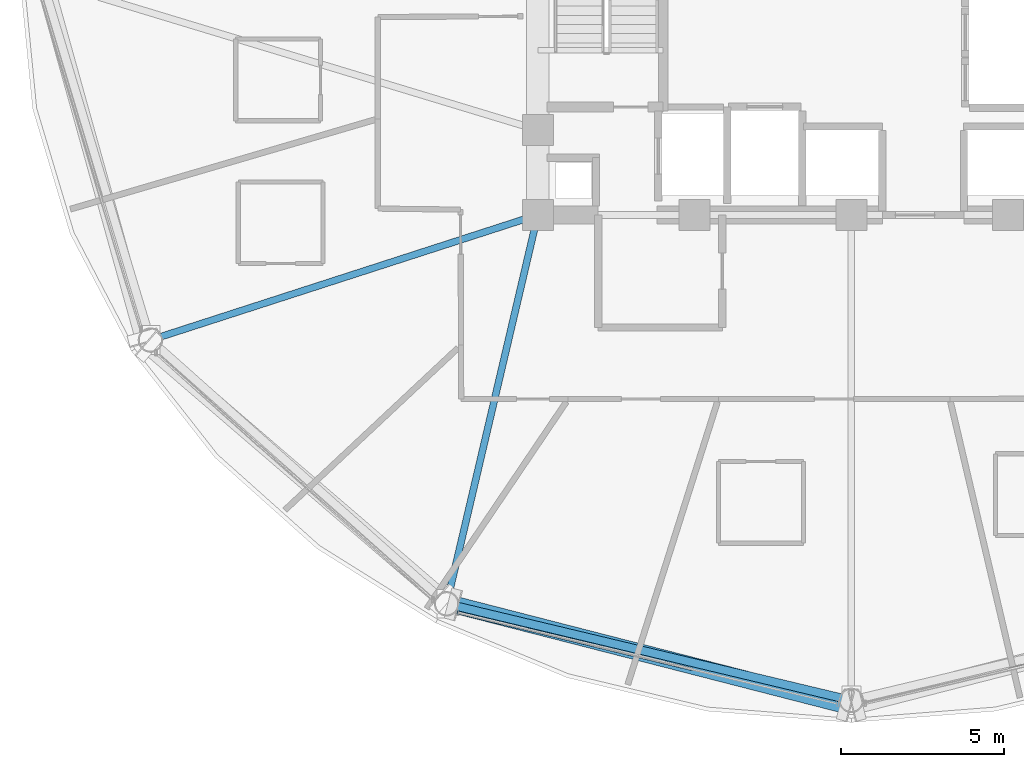
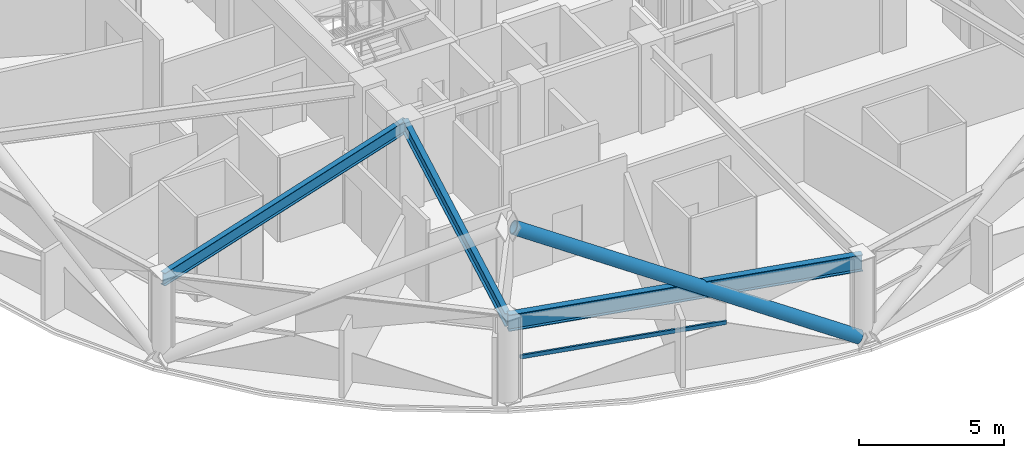
# One storey, part 3 of 29: 3 beams, 2 members, 1 element without a shape of its own.
"""IFC4 building model written with IfcOpenShell, lengths in metres."""

from ifc_helpers import new_model, si_unit, direction, frame, origin, origin_2d, place, context, subcontext, project, spatial, hollow_rectangle, hollow_circle, i_section, extrude, material, layer, layer_set, material_profile, profile_set, type_object, element, aggregate, save


model = new_model("IFC4")

# Units and contexts
model_context = context("Model", 3, precision=1e-05, world=origin(), true_north=direction((0.0, 1.0)))
body_context = subcontext(model_context, "Body", "Model", "MODEL_VIEW")
ifc_project = project(units=[si_unit("LENGTHUNIT", "METRE"), si_unit("AREAUNIT", "SQUARE_METRE"), si_unit("VOLUMEUNIT", "CUBIC_METRE"), si_unit("PLANEANGLEUNIT", "RADIAN"), si_unit("MASSUNIT", "GRAM", prefix="KILO")], contexts=[model_context])

# Site, building, storey
site_placement = place(None, origin())
site = spatial("IfcSite", under=ifc_project, at=site_placement, CompositionType="ELEMENT")
building_placement = place(site_placement, origin())
building = spatial("IfcBuilding", under=site, at=building_placement, Name="Vantalir Tower", CompositionType="ELEMENT")
storey_placement = place(building_placement, frame((0.0, 0.0, 157.199951171875)))
storey = spatial("IfcBuildingStorey", under=building, at=storey_placement, Name="L39", CompositionType="ELEMENT", Elevation=157.199951171875)

# Beams
ifc_material_1 = material(Name="Steel S355", Category="steel")
ifc_material_profile_1 = material_profile(ifc_material_1, i_section(OverallWidth=0.2109375, OverallDepth=0.5390625, WebThickness=0.01171875, FlangeThickness=0.018798828125, at=origin_2d()), Name="Steel S355")
ifc_profile_set_1 = profile_set([ifc_material_profile_1], Name="Steel S355")
beam_type_1 = type_object("IfcBeamType", Name="BM-RB-533x210", PredefinedType="BEAM", material=ifc_profile_set_1)
beam_1_placement = place(storey_placement, frame((10.037109375, 13.965087890625, 3.301025390625), z_axis=(0.95151500296, 0.307602339298, 0.0), x_axis=(-0.307602339298, 0.95151500296, 0.0)))
element("IfcBeam", 1, at=beam_1_placement, inside=storey, type_object=beam_type_1, Name="L39 Radial Floor Beam 08", PredefinedType="BEAM", context=body_context, shape_type="SweptSolid", body=[
    extrude(i_section(OverallWidth=0.2109375, OverallDepth=0.5390625, WebThickness=0.01171875, FlangeThickness=0.018798828125, at=origin_2d()), origin(), (0.0, 0.0, 1.0), 12.46728515625),
])
beam_2_placement = place(storey_placement, frame((19.10791015625, 5.887939453125, 3.301025390625), z_axis=(0.228198416036, 0.973614648061, 0.0), x_axis=(-0.973614648061, 0.228198416036, 0.0)))
element("IfcBeam", 2, at=beam_2_placement, inside=storey, type_object=beam_type_1, Name="L39 Radial Floor Beam 09", PredefinedType="BEAM", context=body_context, shape_type="SweptSolid", body=[
    extrude(i_section(OverallWidth=0.2109375, OverallDepth=0.5390625, WebThickness=0.01171875, FlangeThickness=0.018798828125, at=origin_2d()), origin(), (0.0, 0.0, 1.0), 12.23486328125),
])
ifc_material_2 = material(Name="Steel S460", Category="steel")
ifc_material_profile_2 = material_profile(ifc_material_2, i_section(OverallWidth=0.256103515625, OverallDepth=0.693115234375, WebThickness=0.014404296875, FlangeThickness=0.023681640625, at=origin_2d()), Name="Steel S460")
ifc_profile_set_2 = profile_set([ifc_material_profile_2], Name="Steel S460")
beam_type_2 = type_object("IfcBeamType", Name="BM-RG-686x254", PredefinedType="USERDEFINED", material=ifc_profile_set_2)
beam_3_placement = place(storey_placement, frame((19.10791015625, 5.887939453125, 3.22412109375), z_axis=(0.972690538126, -0.232105831549, 0.0), x_axis=(0.232105831549, 0.972690538126, 0.0)))
element("IfcBeam", 3, at=beam_3_placement, inside=storey, type_object=beam_type_2, Name="L39 Circumferential Ring Girder 09", ObjectType="GIRDER", PredefinedType="USERDEFINED", context=body_context, shape_type="SweptSolid", body=[
    extrude(i_section(OverallWidth=0.256103515625, OverallDepth=0.693115234375, WebThickness=0.014404296875, FlangeThickness=0.023681640625, at=origin_2d()), origin(), (0.0, 0.0, 1.0), 12.739990234375),
])

# Curtain wall, member
ifc_material_3 = material(Name="Champagne-silver PVDF aluminium and double-silver Low-E glass", Category="aluminium")
ifc_layer = layer(ifc_material_3, 0.199951171875)
ifc_layer_set = layer_set([ifc_layer], Name="Champagne-silver PVDF aluminium and double-silver Low-E glass")
curtain_wall_type = type_object("IfcCurtainWallType", Name="CW-DIAMOND-Z2", PredefinedType="USERDEFINED", material=ifc_layer_set)
curtain_wall_placement = place(storey_placement, origin())
curtain_wall = element("IfcCurtainWall", 4, at=curtain_wall_placement, inside=storey, type_object=curtain_wall_type, Name="L39 Quilted Pyramid-Diamond Curtain Wall S09", ObjectType="UNITISED CURTAIN WALL", PredefinedType="USERDEFINED")
ifc_material_4 = material(Name="Champagne-silver PVDF aluminium 6063-T6", Category="aluminium")
ifc_material_profile_3 = material_profile(ifc_material_4, hollow_rectangle(XDim=0.074951171875, YDim=0.159912109375, WallThickness=0.00390625, at=origin_2d()), Name="Champagne-silver PVDF aluminium 6063-T6")
ifc_profile_set_3 = profile_set([ifc_material_profile_3], Name="Champagne-silver PVDF aluminium 6063-T6")
member_type_1 = type_object("IfcMemberType", Name="CWT-160x75", PredefinedType="USERDEFINED", material=ifc_profile_set_3)
member_1_placement = place(storey_placement, frame((19.44091796875, 5.62109375, 1.78515625), z_axis=(0.971875687696, -0.235494474807, 0.0), x_axis=(0.235494474807, 0.971875687696, 0.0)))
member_1 = element("IfcMember", 5, at=member_1_placement, type_object=member_type_1, Name="CW-L39-S09 Pyramid Fold Ridge Transom", ObjectType="TRANSOM", PredefinedType="USERDEFINED", context=body_context, shape_type="SweptSolid", body=[
    extrude(hollow_rectangle(XDim=0.074951171875, YDim=0.159912109375, WallThickness=0.00390625, at=origin_2d()), origin(), (0.0, 0.0, 1.0), 7.41455078125),
])
aggregate(curtain_wall, [member_1])

# Member
ifc_material_profile_4 = material_profile(ifc_material_2, hollow_circle(Radius=0.260009765625, WallThickness=0.0380859375, at=origin_2d()), Name="Steel S460")
ifc_profile_set_4 = profile_set([ifc_material_profile_4], Name="Steel S460")
member_type_2 = type_object("IfcMemberType", Name="MEM-DB-520x38", PredefinedType="BRACE", material=ifc_profile_set_4)
member_2_placement = place(storey_placement, frame((31.31396484375, 2.7890625, 0.18798828125), z_axis=(-0.844775699941, 0.216839809613, 0.489218268012), x_axis=(-0.248623491781, -0.96860020614, 0.0)))
element("IfcMember", 6, at=member_2_placement, inside=storey, type_object=member_type_2, Name="L39 Perimeter S460 Diagrid Brace R28R", PredefinedType="BRACE", context=body_context, shape_type="SweptSolid", body=[
    extrude(hollow_circle(Radius=0.260009765625, WallThickness=0.0380859375, at=origin_2d()), origin(), (0.0, 0.0, 1.0), 14.1943359375),
])

save(model, "model.ifc")
